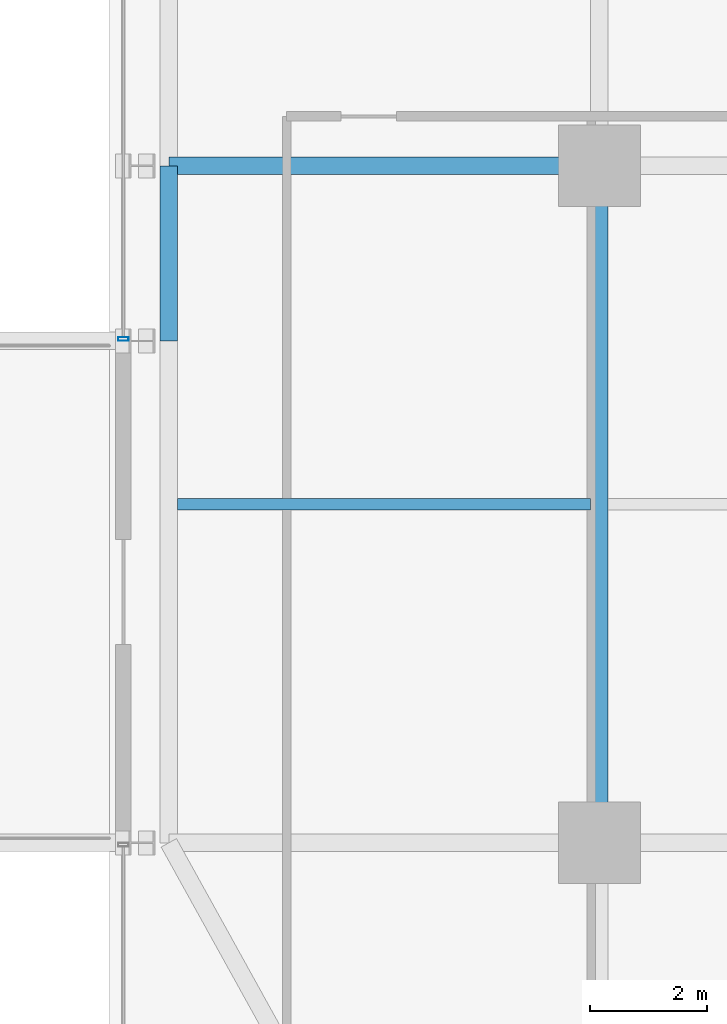
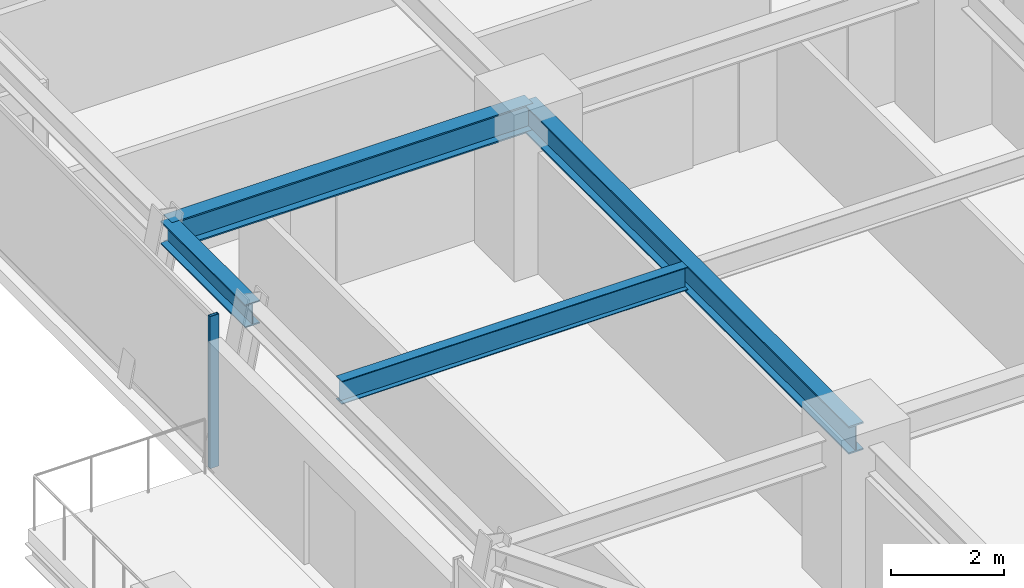
# One storey, part 8 of 35: 4 beams, 1 member, 1 element without a shape of its own.
"""IFC4 building model written with IfcOpenShell, lengths in metres."""

from ifc_helpers import new_model, si_unit, direction, frame, origin, origin_2d, place, context, subcontext, project, spatial, hollow_rectangle, i_section, extrude, source, transform, mapped, material, material_profile, profile_set, type_object, element, aggregate, save


model = new_model("IFC4")

# Units and contexts
model_context = context("Model", 3, precision=1e-05, world=origin(), true_north=direction((0.0, 1.0)))
body_context = subcontext(model_context, "Body", "Model", "MODEL_VIEW")
ifc_project = project(units=[si_unit("LENGTHUNIT", "METRE"), si_unit("AREAUNIT", "SQUARE_METRE"), si_unit("VOLUMEUNIT", "CUBIC_METRE"), si_unit("PLANEANGLEUNIT", "RADIAN"), si_unit("MASSUNIT", "GRAM", prefix="KILO")], contexts=[model_context])

# Site, building, storey
site_placement = place(None, origin())
site = spatial("IfcSite", under=ifc_project, at=site_placement, CompositionType="ELEMENT")
building_placement = place(site_placement, origin())
building = spatial("IfcBuilding", under=site, at=building_placement, Name="Nahalor Promenade Grand Hotel", CompositionType="ELEMENT")
storey_placement = place(building_placement, frame((0.0, 0.0, 79.85009765625)))
storey = spatial("IfcBuildingStorey", under=building, at=storey_placement, Name="L19", CompositionType="ELEMENT", Elevation=79.85009765625)

# Beams
ifc_material_1 = material(Name="Steel S355JR", Category="steel")
ifc_material_profile_1 = material_profile(ifc_material_1, i_section(OverallWidth=0.3, OverallDepth=0.6, WebThickness=0.0155, FlangeThickness=0.03, at=origin_2d()), Name="HEB 600")
ifc_profile_set_1 = profile_set([ifc_material_profile_1], Name="Steel S355JR")
beam_type_1 = type_object("IfcBeamType", Name="Beam-Girder-HEB600", PredefinedType="BEAM", material=ifc_profile_set_1)
shared_shape_1 = source(origin(), body_context, "Body", "SweptSolid", [
    extrude(i_section(OverallWidth=0.3, OverallDepth=0.6, WebThickness=0.0155, FlangeThickness=0.03, at=origin_2d()), origin(), (0.0, 0.0, 1.0), 11.60009765625),
])
beam_1_placement = place(storey_placement, frame((-17.0, -17.0, 2.989990234375), z_axis=(0.0, 1.0, 0.0), x_axis=(-1.0, 0.0, 0.0)))
element("IfcBeam", 1, at=beam_1_placement, inside=storey, type_object=beam_type_1, Name="BM-L19-GY-0-1", PredefinedType="BEAM", context=body_context, shape_type="MappedRepresentation", body=[
    mapped(shared_shape_1, transform((0.0, 0.0, 0.0), scale=1.0)),
])
ifc_material_profile_2 = material_profile(ifc_material_1, i_section(OverallWidth=0.3, OverallDepth=0.5, WebThickness=0.0145, FlangeThickness=0.028, at=origin_2d()), Name="HEB 500")
ifc_profile_set_2 = profile_set([ifc_material_profile_2], Name="Steel S355JR")
beam_type_2 = type_object("IfcBeamType", Name="Beam-Spandrel-HEB500", PredefinedType="SPANDREL", material=ifc_profile_set_2)
shared_shape_2 = source(origin(), body_context, "Body", "SweptSolid", [
    extrude(i_section(OverallWidth=0.3, OverallDepth=0.5, WebThickness=0.0145, FlangeThickness=0.028, at=origin_2d()), origin(), (0.0, 0.0, 1.0), 3.0),
])
beam_2_placement = place(storey_placement, frame((-24.3798828125, -8.39990234375, 3.039794921875), z_axis=(0.0, 1.0, 0.0), x_axis=(-1.0, 0.0, 0.0)))
element("IfcBeam", 2, at=beam_2_placement, inside=storey, type_object=beam_type_2, Name="BM-L19-SP-W-1", PredefinedType="SPANDREL", context=body_context, shape_type="MappedRepresentation", body=[
    mapped(shared_shape_2, transform((0.0, 0.0, 0.0), scale=1.0)),
])
shared_shape_3 = source(origin(), body_context, "Body", "SweptSolid", [
    extrude(i_section(OverallWidth=0.3, OverallDepth=0.6, WebThickness=0.0155, FlangeThickness=0.03, at=origin_2d()), origin(), (0.0, 0.0, 1.0), 7.3798828125),
])
beam_3_placement = place(storey_placement, frame((-24.3798828125, -5.39990234375, 2.989990234375), z_axis=(1.0, 0.0, 0.0), x_axis=(0.0, 1.0, 0.0)))
element("IfcBeam", 3, at=beam_3_placement, inside=storey, type_object=beam_type_1, Name="BM-L19-GX-1-0", PredefinedType="BEAM", context=body_context, shape_type="MappedRepresentation", body=[
    mapped(shared_shape_3, transform((0.0, 0.0, 0.0), scale=1.0)),
])
ifc_material_profile_3 = material_profile(ifc_material_1, i_section(OverallWidth=0.2, OverallDepth=0.5, WebThickness=0.0102, FlangeThickness=0.016, at=origin_2d()), Name="IPE 500")
ifc_profile_set_3 = profile_set([ifc_material_profile_3], Name="Steel S355JR")
beam_type_3 = type_object("IfcBeamType", Name="Beam-Joist-IPE500", PredefinedType="JOIST", material=ifc_profile_set_3)
shared_shape_4 = source(origin(), body_context, "Body", "SweptSolid", [
    extrude(i_section(OverallWidth=0.2, OverallDepth=0.5, WebThickness=0.0102, FlangeThickness=0.016, at=origin_2d()), origin(), (0.0, 0.0, 1.0), 7.080078125),
])
beam_4_placement = place(storey_placement, frame((-24.22998046875, -11.199951171875, 3.039794921875), z_axis=(1.0, 0.0, 0.0), x_axis=(0.0, 1.0, 0.0)))
element("IfcBeam", 4, at=beam_4_placement, inside=storey, type_object=beam_type_3, Name="BM-L19-JSW-0-0", PredefinedType="JOIST", context=body_context, shape_type="MappedRepresentation", body=[
    mapped(shared_shape_4, transform((0.0, 0.0, 0.0), scale=1.0)),
])

# Curtain wall, member
ifc_material_2 = material(Name="Anodised Bronze Aluminium EN AW-6063 T6", Category="aluminium")
curtain_wall_type = type_object("IfcCurtainWallType", Name="CW2 Typical Hotel Flush Bronze Unitised Curtain Wall", PredefinedType="USERDEFINED", material=ifc_material_2)
curtain_wall_placement = place(storey_placement, origin())
curtain_wall = element("IfcCurtainWall", 5, at=curtain_wall_placement, inside=storey, type_object=curtain_wall_type, Name="L19 Curtain Wall CW-L19-W-3", ObjectType="UNITISED_CURTAIN_WALL", PredefinedType="USERDEFINED")
ifc_material_profile_4 = material_profile(ifc_material_2, hollow_rectangle(XDim=0.065, YDim=0.18, WallThickness=0.004, at=origin_2d()), Name="CWM 65x180x4")
ifc_profile_set_4 = profile_set([ifc_material_profile_4], Name="Anodised Bronze Aluminium EN AW-6063 T6")
member_type = type_object("IfcMemberType", Name="CWM2 Typical Bronze Mullion 65x180", PredefinedType="MULLION", material=ifc_profile_set_4)
shared_shape_5 = source(origin(), body_context, "Body", "SweptSolid", [
    extrude(hollow_rectangle(XDim=0.065, YDim=0.18, WallThickness=0.004, at=origin_2d()), origin(), (0.0, 0.0, 1.0), 3.289794921875),
])
member_placement = place(storey_placement, frame((-25.159912109375, -8.367431640625, 0.0), z_axis=(0.0, 0.0, 1.0), x_axis=(0.0, 1.0, 0.0)))
member = element("IfcMember", 6, at=member_placement, type_object=member_type, Name="CW-L19-W-3 Mullion 0", PredefinedType="MULLION", context=body_context, shape_type="MappedRepresentation", body=[
    mapped(shared_shape_5, transform((0.0, 0.0, 0.0), scale=1.0)),
])
aggregate(curtain_wall, [member])

save(model, "model.ifc")
